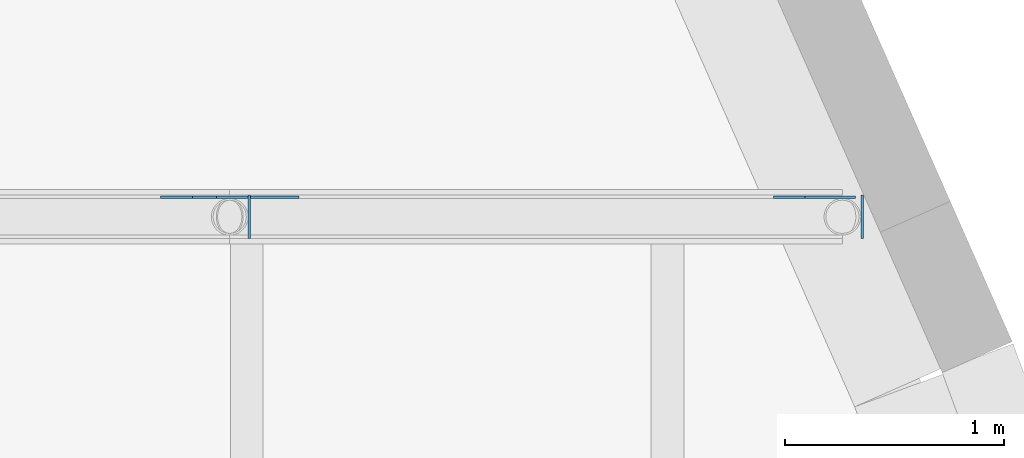
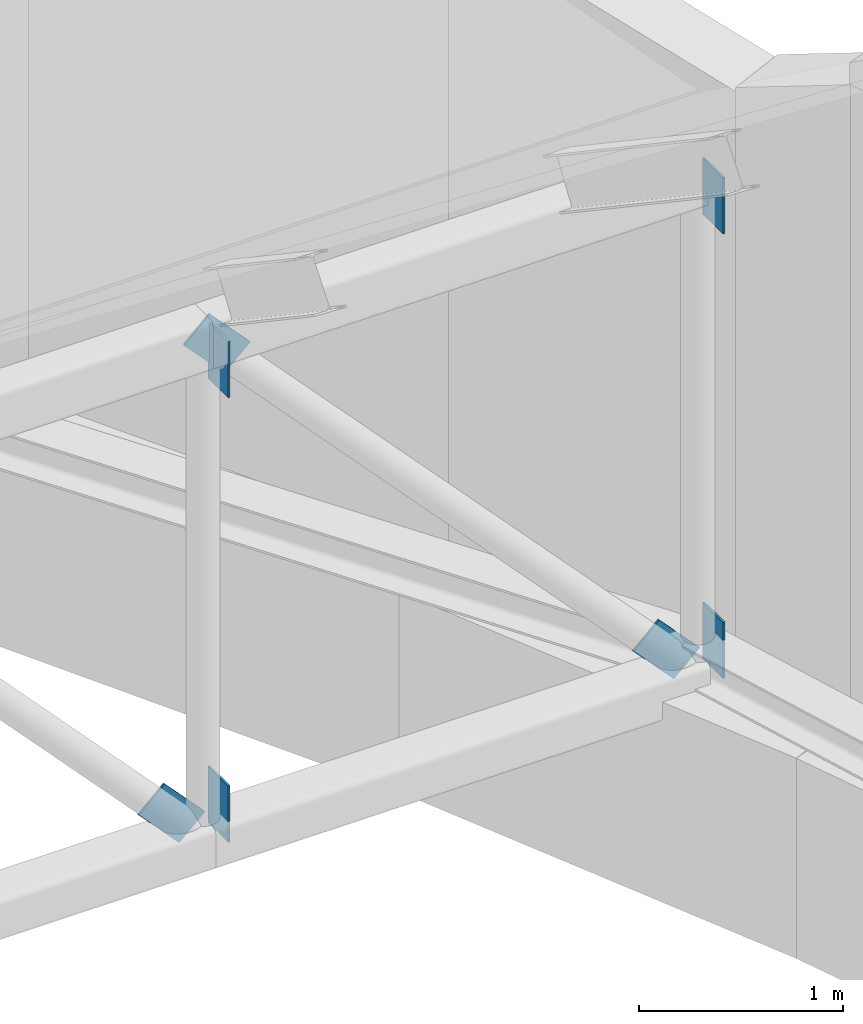
# One storey, part 66 of 68: 7 discrete accessories.
"""IFC4 building model written with IfcOpenShell, lengths in metres."""

from ifc_helpers import new_model, si_unit, direction, frame, origin, origin_2d, place, context, subcontext, project, spatial, rectangle, extrude, material, material_profile, profile_set, type_object, element, save


model = new_model("IFC4")

# Units and contexts
model_context = context("Model", 3, precision=1e-05, world=origin(), true_north=direction((0.0, 1.0)))
body_context = subcontext(model_context, "Body", "Model", "MODEL_VIEW")
ifc_project = project(units=[si_unit("LENGTHUNIT", "METRE"), si_unit("AREAUNIT", "SQUARE_METRE"), si_unit("VOLUMEUNIT", "CUBIC_METRE"), si_unit("PLANEANGLEUNIT", "RADIAN"), si_unit("MASSUNIT", "GRAM", prefix="KILO")], contexts=[model_context])

# Site, building, storey
site_placement = place(None, origin())
site = spatial("IfcSite", under=ifc_project, at=site_placement, CompositionType="ELEMENT")
building_placement = place(site_placement, origin())
building = spatial("IfcBuilding", under=site, at=building_placement, Name="Larchfold Concert Hall", CompositionType="ELEMENT")
storey_placement = place(building_placement, frame((0.0, 0.0, 28.800048828125)))
storey = spatial("IfcBuildingStorey", under=building, at=storey_placement, Name="L06", CompositionType="ELEMENT", Elevation=28.800048828125)

# Discrete accessories
ifc_material = material(Name="Steel S355 galvanised bracket", Category="steel")
ifc_material_profile = material_profile(ifc_material, rectangle(XDim=0.011962890625, YDim=0.199951171875, at=origin_2d()))
ifc_profile_set = profile_set([ifc_material_profile], Name="Steel S355 galvanised bracket")
discrete_accessory_type = type_object("IfcDiscreteAccessoryType", Name="Gusset plate 12x200", PredefinedType="BRACKET", material=ifc_profile_set)
for number, where, z_axis, x_axis, name in (
    (1, (60.916015625, 102.0, 3.0), (0.0, 0.0, -1.0), (1.0, 0.0, 0.0), "Gusset plate GP0473"),
    (2, (60.916015625, 102.0, 0.336669921875), (0.0, 0.0, -1.0), (1.0, 0.0, 0.0), "Gusset plate GP0474"),
    (3, (63.719970703125, 102.0, 3.0), (0.0, 0.0, -1.0), (1.0, 0.0, 0.0), "Gusset plate GP0475"),
    (4, (63.719970703125, 102.0, 0.336669921875), (0.0, 0.0, -1.0), (1.0, 0.0, 0.0), "Gusset plate GP0476"),
):
    element("IfcDiscreteAccessory", number, at=place(storey_placement, frame(where, z_axis=z_axis, x_axis=x_axis)), inside=storey, type_object=discrete_accessory_type, Name=name, PredefinedType="BRACKET", context=body_context, shape_type="SweptSolid", body=[
        extrude(rectangle(XDim=0.011962890625, YDim=0.199951171875, at=origin_2d()), origin(), (0.0, 0.0, 1.0), 0.336669921875),
    ])
for number, where, z_axis, x_axis, name in (
    (5, (60.58251953125, 102.090087890625, 0.260498046875), (0.682757602912, 0.0, -0.730644958695), (0.0, 1.0, 0.0), "Gusset plate GP0504"),
    (6, (60.839599609375, 102.090087890625, 2.9853515625), (0.682757602912, 0.0, -0.730644958695), (0.0, 1.0, 0.0), "Gusset plate GP0505"),
    (7, (63.386474609375, 102.090087890625, 0.260498046875), (0.682757602912, 0.0, -0.730644958695), (0.0, 1.0, 0.0), "Gusset plate GP0506"),
):
    element("IfcDiscreteAccessory", number, at=place(storey_placement, frame(where, z_axis=z_axis, x_axis=x_axis)), inside=storey, type_object=discrete_accessory_type, Name=name, PredefinedType="BRACKET", context=body_context, shape_type="SweptSolid", body=[
        extrude(rectangle(XDim=0.011962890625, YDim=0.199951171875, at=origin_2d()), origin(), (0.0, 0.0, 1.0), 0.33642578125),
    ])

save(model, "model.ifc")
